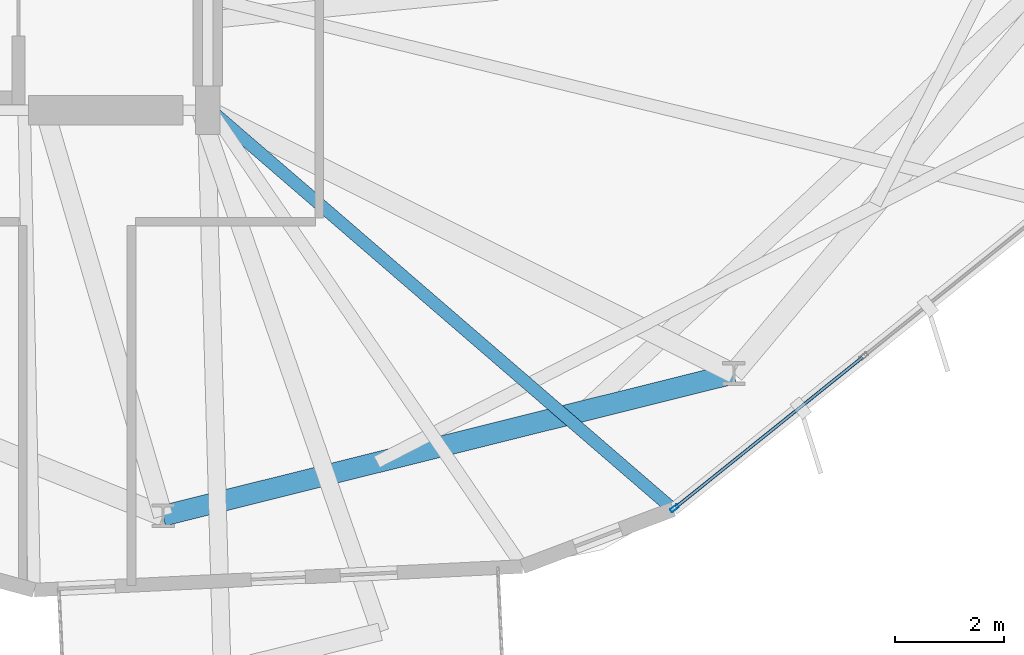
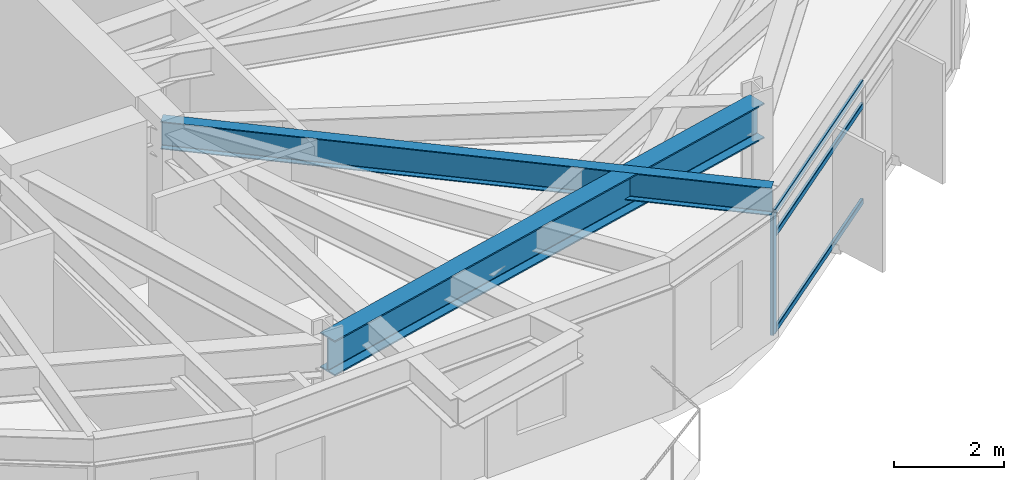
# One storey, part 5 of 23: 4 members, 2 beams, 1 element without a shape of its own.
"""IFC4 building model written with IfcOpenShell, lengths in metres."""

import ifcopenshell
import ifcopenshell.guid

model = None  # the IFC model being written
_history = None  # IfcOwnerHistory: only IFC2X3 demands one
_inside = {}  # id of a spatial element -> (the spatial element, [elements in it])
_under = {}  # id of a project, library or spatial element -> (it, [spatial elements below it])
_declared = {}  # id of a project -> (the project, [libraries it declares])
_typed = {}  # id of a type object -> (the type object, [elements of that type])
_made_of = {}  # id of a material, layer set ... -> (it, [elements and type objects made of it])


def new_model(schema):
    """Start an empty IFC model of exactly this schema.

    Asked for "IFC4X3", IfcOpenShell would pick the latest addendum, in which some entities
    have other attributes; the version numbers below select the first issue.
    IFC2X3 requires an IfcOwnerHistory on every rooted entity: one is made here for all.
    """
    global model, _history
    if schema == "IFC4X3":
        model = ifcopenshell.file(schema_version=(4, 3, 0, 0))
    else:
        model = ifcopenshell.file(schema=schema)
    _inside.clear()
    _under.clear()
    _declared.clear()
    _typed.clear()
    _made_of.clear()
    _history = None
    if model.schema == "IFC2X3":
        org = make("IfcOrganization", Name="unknown")
        user = make(
            "IfcPersonAndOrganization",
            ThePerson=make("IfcPerson", FamilyName="unknown"),
            TheOrganization=org,
        )
        app = make(
            "IfcApplication",
            ApplicationDeveloper=org,
            Version="unknown",
            ApplicationFullName="unknown",
            ApplicationIdentifier="unknown",
        )
        _history = make(
            "IfcOwnerHistory",
            OwningUser=user,
            OwningApplication=app,
            ChangeAction="ADDED",
            CreationDate=0,
        )
    return model


def make(cls, **values):
    """One entity of the class cls with the attributes given. An attribute that is None is left unset."""
    return model.create_entity(
        cls, **{name: value for name, value in values.items() if value is not None}
    )


def rooted(cls, **values):
    """An entity with a GlobalId (a new one), such as an element, a storey or a relation."""
    return make(cls, GlobalId=ifcopenshell.guid.new(), OwnerHistory=_history, **values)


def si_unit(unit_type, name, prefix=None):
    """IfcSIUnit, for example si_unit("LENGTHUNIT", "METRE", prefix="MILLI")."""
    return make("IfcSIUnit", UnitType=unit_type, Prefix=prefix, Name=name)


def assignment(units):
    """IfcUnitAssignment: the units of a project."""
    return None if units is None else make("IfcUnitAssignment", Units=units)


def point(xyz):
    """IfcCartesianPoint."""
    return None if xyz is None else make("IfcCartesianPoint", Coordinates=xyz)


def direction(xyz):
    """IfcDirection."""
    return None if xyz is None else make("IfcDirection", DirectionRatios=xyz)


def frame(location, z_axis=None, x_axis=None):
    """IfcAxis2Placement3D, a coordinate frame: its origin and axes. An axis left out is left unset."""
    return make(
        "IfcAxis2Placement3D",
        Location=point(location),
        Axis=direction(z_axis),
        RefDirection=direction(x_axis),
    )


def frame_2d(location, x_axis=None):
    """IfcAxis2Placement2D, a coordinate frame in the plane: its origin and x axis."""
    return make(
        "IfcAxis2Placement2D", Location=point(location), RefDirection=direction(x_axis)
    )


def origin():
    """The frame at (0, 0, 0) with its axes left unset."""
    return frame((0.0, 0.0, 0.0))


def origin_2d():
    """The frame at (0, 0) in the plane with its x axis left unset."""
    return frame_2d((0.0, 0.0))


def place(relative_to, where):
    """IfcLocalPlacement: puts the frame where relative to a parent placement (None: the world)."""
    return make(
        "IfcLocalPlacement", PlacementRelTo=relative_to, RelativePlacement=where
    )


def context(
    kind, dimensions, precision=None, world=None, true_north=None, identifier=None
):
    """IfcGeometricRepresentationContext, for example the 3D "Model" context."""
    return make(
        "IfcGeometricRepresentationContext",
        ContextIdentifier=identifier,
        ContextType=kind,
        CoordinateSpaceDimension=dimensions,
        Precision=precision,
        WorldCoordinateSystem=world,
        TrueNorth=true_north,
    )


def subcontext(parent, identifier, kind, view, scale=None):
    """IfcGeometricRepresentationSubContext, for example "Body" below "Model"."""
    return make(
        "IfcGeometricRepresentationSubContext",
        ContextIdentifier=identifier,
        ContextType=kind,
        ParentContext=parent,
        TargetScale=scale,
        TargetView=view,
    )


def project(units=None, contexts=None):
    """IfcProject with its units and contexts."""
    return rooted(
        "IfcProject",
        Name="project",
        RepresentationContexts=contexts,
        UnitsInContext=assignment(units),
    )


def spatial(cls, under=None, at=None, **own):
    """A site, building, storey or space (cls), placed at a placement, below another one or the project."""
    s = rooted(cls, ObjectPlacement=at, **own)
    if under is not None:
        _under.setdefault(under.id(), (under, []))[1].append(s)
    return s


def profile(cls, at=None, kind="AREA", **sizes):
    """A parametric profile (cls). Its sizes go by their IFC names, for example OverallWidth=200.0."""
    return make(cls, ProfileType=kind, Position=at, **sizes)


def hollow_rectangle(**sizes):
    """IfcRectangleHollowProfileDef."""
    return profile("IfcRectangleHollowProfileDef", **sizes)


def i_section(**sizes):
    """IfcIShapeProfileDef."""
    return profile("IfcIShapeProfileDef", **sizes)


def extrude(swept, where, along, depth):
    """IfcExtrudedAreaSolid: the profile swept, set in the frame where, extruded along a direction by depth."""
    return make(
        "IfcExtrudedAreaSolid",
        SweptArea=swept,
        Position=where,
        ExtrudedDirection=direction(along),
        Depth=depth,
    )


def shape(context_of_items, identifier, shape_type, items):
    """IfcShapeRepresentation: the items that make up one representation, for example the "Body"."""
    return make(
        "IfcShapeRepresentation",
        ContextOfItems=context_of_items,
        RepresentationIdentifier=identifier,
        RepresentationType=shape_type,
        Items=items,
    )


def material(Name=None, Category=None):
    """IfcMaterial."""
    return make("IfcMaterial", Name=Name, Category=Category)


def layer(
    of_material, thickness, ventilated=None, Name=None, Category=None, Priority=None
):
    """IfcMaterialLayer: one layer of a wall or slab, of a material (None: an air gap)."""
    return make(
        "IfcMaterialLayer",
        Material=of_material,
        LayerThickness=thickness,
        IsVentilated=ventilated,
        Name=Name,
        Category=Category,
        Priority=Priority,
    )


def layer_set(layers, Name=None):
    """IfcMaterialLayerSet."""
    return make("IfcMaterialLayerSet", MaterialLayers=layers, LayerSetName=Name)


def material_profile(
    of_material, cross_section, Name=None, Category=None, Priority=None
):
    """IfcMaterialProfile: a cross section and its material."""
    return make(
        "IfcMaterialProfile",
        Name=Name,
        Material=of_material,
        Profile=cross_section,
        Priority=Priority,
        Category=Category,
    )


def profile_set(profiles, Name=None, composite=None):
    """IfcMaterialProfileSet."""
    return make(
        "IfcMaterialProfileSet",
        Name=Name,
        MaterialProfiles=profiles,
        CompositeProfile=composite,
    )


def made_of(thing, what):
    """Note that an element or type object is made of a material, layer set ...; save() writes the relation."""
    if what is not None:
        _made_of.setdefault(what.id(), (what, []))[1].append(thing)
    return thing


def type_object(cls, material=None, **own):
    """A type object (cls), such as IfcWallType, which elements share."""
    return made_of(rooted(cls, **own), material)


def element(
    cls,
    number,
    at=None,
    inside=None,
    cuts=None,
    type_object=None,
    material=None,
    context=None,
    identifier="Body",
    shape_type=None,
    held_by="IfcProductDefinitionShape",
    body=None,
    shapes=None,
    **own,
):
    """One element of the class cls, such as IfcWall. Its Tag is "e" and its number.

    at: its placement. inside: the storey or other place that contains it. cuts: it is an
    opening in that element (IfcRelVoidsElement). A single representation is given by context,
    identifier, shape_type and body (its items); several are given by shapes. held_by: the class
    of the entity that holds the representations. save() writes the other relations.
    """
    e = rooted(cls, Tag="e%d" % number, ObjectPlacement=at, **own)
    if body is not None:
        shapes = [shape(context, identifier, shape_type, body)]
    if shapes is not None:
        e.Representation = make(held_by, Representations=shapes)
    if inside is not None:
        _inside.setdefault(inside.id(), (inside, []))[1].append(e)
    if cuts is not None:
        rooted(
            "IfcRelVoidsElement", RelatingBuildingElement=cuts, RelatedOpeningElement=e
        )
    if type_object is not None:
        _typed.setdefault(type_object.id(), (type_object, []))[1].append(e)
    return made_of(e, material)


def aggregate(whole, parts):
    """IfcRelAggregates: a whole, such as a stair, and the parts it consists of."""
    return rooted("IfcRelAggregates", RelatingObject=whole, RelatedObjects=parts)


def save(model, path):
    """Write the relations noted so far, then the file.

    IfcRelAggregates (storeys below a building ...), IfcRelContainedInSpatialStructure (elements
    in a storey), IfcRelDefinesByType, IfcRelAssociatesMaterial and IfcRelDeclares: one each for
    every whole, place, type object, material and project.
    """
    for whole, parts in _under.values():
        aggregate(whole, parts)
    for where, things in _inside.values():
        rooted(
            "IfcRelContainedInSpatialStructure",
            RelatedElements=things,
            RelatingStructure=where,
        )
    for kind, things in _typed.values():
        rooted("IfcRelDefinesByType", RelatedObjects=things, RelatingType=kind)
    for what, things in _made_of.values():
        rooted("IfcRelAssociatesMaterial", RelatedObjects=things, RelatingMaterial=what)
    for by, libraries in _declared.values():
        rooted("IfcRelDeclares", RelatingContext=by, RelatedDefinitions=libraries)
    model.write(path)


model = new_model("IFC4")

# Units and contexts
model_context = context("Model", 3, precision=1e-05, world=origin(), true_north=direction((0.0, 1.0)))
body_context = subcontext(model_context, "Body", "Model", "MODEL_VIEW")
ifc_project = project(units=[si_unit("LENGTHUNIT", "METRE"), si_unit("AREAUNIT", "SQUARE_METRE"), si_unit("VOLUMEUNIT", "CUBIC_METRE"), si_unit("PLANEANGLEUNIT", "RADIAN"), si_unit("MASSUNIT", "GRAM", prefix="KILO")], contexts=[model_context])

# Site, building, storey
site_placement = place(None, origin())
site = spatial("IfcSite", under=ifc_project, at=site_placement, CompositionType="ELEMENT")
building_placement = place(site_placement, origin())
building = spatial("IfcBuilding", under=site, at=building_placement, Name="Soratama Intermodal Tower", CompositionType="ELEMENT")
storey_placement = place(building_placement, frame((0.0, 0.0, 175.0)))
storey = spatial("IfcBuildingStorey", under=building, at=storey_placement, Name="L43", CompositionType="ELEMENT", Elevation=175.0)

# Beams
ifc_material_1 = material(Name="Structural steel ASTM A992 Grade 50", Category="steel")
ifc_material_profile_1 = material_profile(ifc_material_1, i_section(OverallWidth=0.382080078125, OverallDepth=0.779052734375, WebThickness=0.01806640625, FlangeThickness=0.030029296875, FilletRadius=0.01806640625, at=origin_2d()), Name="W30X191")
ifc_profile_set_1 = profile_set([ifc_material_profile_1], Name="Structural steel ASTM A992 Grade 50")
beam_type_1 = type_object("IfcBeamType", Name="BM-RING-W30X191", PredefinedType="BEAM", material=ifc_profile_set_1)
beam_1_placement = place(storey_placement, frame((43.779052734375, 7.54296875, 2.910400390625), z_axis=(0.970310893227, 0.241861056155, 0.0), x_axis=(-0.241861056155, 0.970310893227, 0.0)))
element("IfcBeam", 1, at=beam_1_placement, inside=storey, type_object=beam_type_1, Name="BM-L43-RING-08", PredefinedType="BEAM", context=body_context, shape_type="SweptSolid", body=[
    extrude(i_section(OverallWidth=0.382080078125, OverallDepth=0.779052734375, WebThickness=0.01806640625, FlangeThickness=0.030029296875, FilletRadius=0.01806640625, at=origin_2d()), origin(), (0.0, 0.0, 1.0), 10.81591796875),
])
ifc_material_2 = material(Name="Structural steel ASTM A992 Grade 50", Category="steel")
ifc_material_profile_2 = material_profile(ifc_material_2, i_section(OverallWidth=0.22900390625, OverallDepth=0.612060546875, WebThickness=0.011962890625, FlangeThickness=0.01953125, FilletRadius=0.012939453125, at=origin_2d()), Name="W24X84")
ifc_profile_set_2 = profile_set([ifc_material_profile_2], Name="Structural steel ASTM A992 Grade 50")
beam_type_2 = type_object("IfcBeamType", Name="BM-TIE-W24X84", PredefinedType="BEAM", material=ifc_profile_set_2)
beam_2_placement = place(storey_placement, frame((44.6298828125, 15.02294921875, 2.993896484375), z_axis=(0.757049538032, -0.653357480225, 0.0), x_axis=(0.653357480225, 0.757049538032, 0.0)))
element("IfcBeam", 2, at=beam_2_placement, inside=storey, type_object=beam_type_2, Name="BM-L43-TIE0-08", PredefinedType="BEAM", context=body_context, shape_type="SweptSolid", body=[
    extrude(i_section(OverallWidth=0.22900390625, OverallDepth=0.612060546875, WebThickness=0.011962890625, FlangeThickness=0.01953125, FilletRadius=0.012939453125, at=origin_2d()), origin(), (0.0, 0.0, 1.0), 11.26611328125),
])

# Curtain wall, members
ifc_material_3 = material(Name="Double-glazed aluminium curtain wall", Category="aluminium")
ifc_layer = layer(ifc_material_3, 0.159912109375)
ifc_layer_set = layer_set([ifc_layer], Name="Double-glazed aluminium curtain wall")
curtain_wall_type = type_object("IfcCurtainWallType", Name="CW-SYS-4", PredefinedType="NOTDEFINED", material=ifc_layer_set)
curtain_wall_placement = place(storey_placement, origin())
curtain_wall = element("IfcCurtainWall", 3, at=curtain_wall_placement, inside=storey, type_object=curtain_wall_type, Name="L43 Faceted Curtain Wall F08", PredefinedType="NOTDEFINED")
ifc_material_4 = material(Name="Anodised aluminium AA 6063-T6", Category="aluminium")
ifc_material_profile_3 = material_profile(ifc_material_4, hollow_rectangle(XDim=0.070068359375, YDim=0.159912109375, WallThickness=0.0048828125, InnerFilletRadius=0.0048828125, OuterFilletRadius=0.010009765625, at=origin_2d()), Name="CWM160X70X5")
ifc_profile_set_3 = profile_set([ifc_material_profile_3], Name="Anodised aluminium AA 6063-T6")
member_type_1 = type_object("IfcMemberType", Name="MT-CWM-4", PredefinedType="MULLION", material=ifc_profile_set_3)
member_1_placement = place(storey_placement, frame((53.181884765625, 7.6806640625, 0.0), z_axis=(0.0, 0.0, 1.0), x_axis=(-0.626056684823, 0.779777549938, 0.0)))
member_1 = element("IfcMember", 4, at=member_1_placement, type_object=member_type_1, Name="CW-4 mullion 1", PredefinedType="MULLION", context=body_context, shape_type="SweptSolid", body=[
    extrude(hollow_rectangle(XDim=0.070068359375, YDim=0.159912109375, WallThickness=0.0048828125, InnerFilletRadius=0.0048828125, OuterFilletRadius=0.010009765625, at=origin_2d()), origin(), (0.0, 0.0, 1.0), 2.678955078125),
])
ifc_material_5 = material(Name="Anodised aluminium AA 6063-T6", Category="aluminium")
ifc_material_profile_4 = material_profile(ifc_material_5, hollow_rectangle(XDim=0.06005859375, YDim=0.1298828125, WallThickness=0.0048828125, InnerFilletRadius=0.0048828125, OuterFilletRadius=0.010009765625, at=origin_2d()), Name="CWT130X60X5")
ifc_profile_set_4 = profile_set([ifc_material_profile_4], Name="Anodised aluminium AA 6063-T6")
member_type_2 = type_object("IfcMemberType", Name="TT-CWT-2", PredefinedType="USERDEFINED", material=ifc_profile_set_4)
member_2_placement = place(storey_placement, frame((53.205322265625, 7.699462890625, 0.030029296875), z_axis=(0.77979652548, 0.626033049326, 0.0), x_axis=(-0.626033049326, 0.77979652548, 0.0)))
member_2 = element("IfcMember", 5, at=member_2_placement, type_object=member_type_2, Name="CW-4 transom 1.1", ObjectType="TRANSOM", PredefinedType="USERDEFINED", context=body_context, shape_type="SweptSolid", body=[
    extrude(hollow_rectangle(XDim=0.06005859375, YDim=0.1298828125, WallThickness=0.0048828125, InnerFilletRadius=0.0048828125, OuterFilletRadius=0.010009765625, at=origin_2d()), origin(), (0.0, 0.0, 1.0), 4.40283203125),
])
member_3_placement = place(storey_placement, frame((53.205322265625, 7.699462890625, 2.14990234375), z_axis=(0.77979652548, 0.626033049326, 0.0), x_axis=(-0.626033049326, 0.77979652548, 0.0)))
member_3 = element("IfcMember", 6, at=member_3_placement, type_object=member_type_2, Name="CW-4 transom 1.2", ObjectType="TRANSOM", PredefinedType="USERDEFINED", context=body_context, shape_type="SweptSolid", body=[
    extrude(hollow_rectangle(XDim=0.06005859375, YDim=0.1298828125, WallThickness=0.0048828125, InnerFilletRadius=0.0048828125, OuterFilletRadius=0.010009765625, at=origin_2d()), origin(), (0.0, 0.0, 1.0), 4.40283203125),
])
member_4_placement = place(storey_placement, frame((53.205322265625, 7.699462890625, 2.64892578125), z_axis=(0.77979652548, 0.626033049326, 0.0), x_axis=(-0.626033049326, 0.77979652548, 0.0)))
member_4 = element("IfcMember", 7, at=member_4_placement, type_object=member_type_2, Name="CW-4 transom 1.3", ObjectType="TRANSOM", PredefinedType="USERDEFINED", context=body_context, shape_type="SweptSolid", body=[
    extrude(hollow_rectangle(XDim=0.06005859375, YDim=0.1298828125, WallThickness=0.0048828125, InnerFilletRadius=0.0048828125, OuterFilletRadius=0.010009765625, at=origin_2d()), origin(), (0.0, 0.0, 1.0), 4.40283203125),
])
aggregate(curtain_wall, [member_1, member_2, member_3, member_4])

save(model, "model.ifc")
